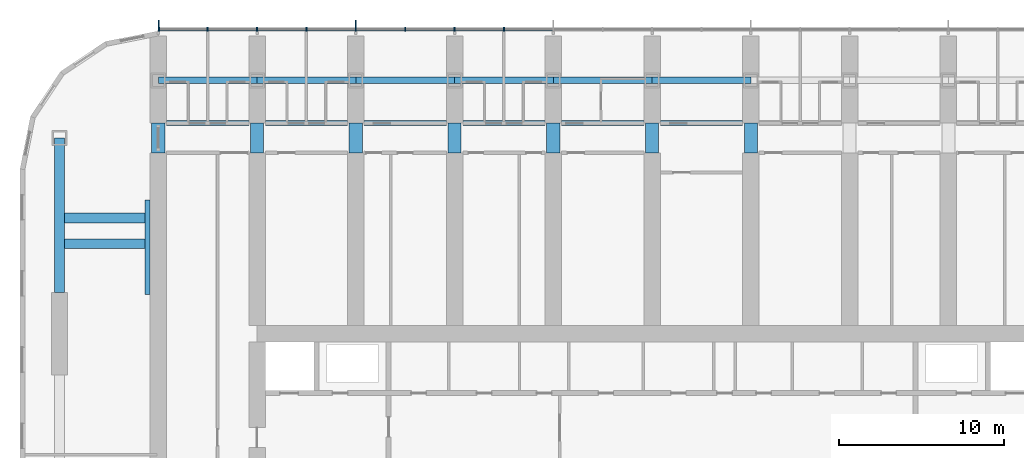
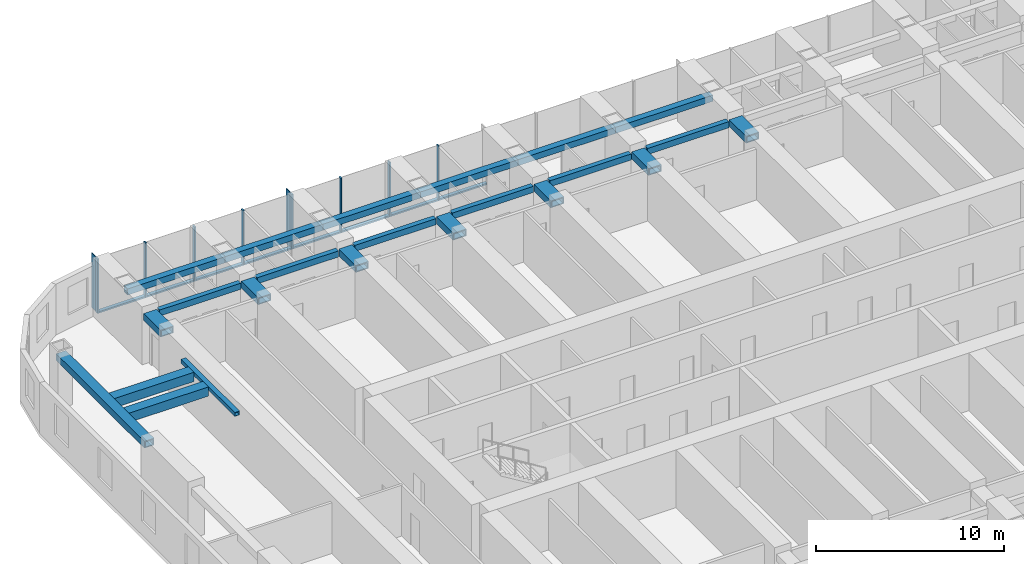
# One storey, part 4 of 24: 23 beams, 18 members, 1 element without a shape of its own.
"""IFC4 building model written with IfcOpenShell, lengths in metres."""

from ifc_helpers import new_model, si_unit, direction, frame, origin, origin_2d, place, context, subcontext, project, spatial, rectangle, hollow_rectangle, extrude, material, material_profile, profile_set, type_object, element, aggregate, save


model = new_model("IFC4")

# Units and contexts
model_context = context("Model", 3, precision=1e-05, world=origin(), true_north=direction((0.0, 1.0)))
body_context = subcontext(model_context, "Body", "Model", "MODEL_VIEW")
ifc_project = project(units=[si_unit("LENGTHUNIT", "METRE"), si_unit("AREAUNIT", "SQUARE_METRE"), si_unit("VOLUMEUNIT", "CUBIC_METRE"), si_unit("PLANEANGLEUNIT", "RADIAN"), si_unit("MASSUNIT", "GRAM", prefix="KILO")], contexts=[model_context])

# Site, building, storey
site_placement = place(None, origin())
site = spatial("IfcSite", under=ifc_project, at=site_placement, CompositionType="ELEMENT")
building_placement = place(site_placement, origin())
building = spatial("IfcBuilding", under=site, at=building_placement, Name="Orbita Commons", CompositionType="ELEMENT")
storey_placement = place(building_placement, frame((0.0, 0.0, 20.199951171875)))
storey = spatial("IfcBuildingStorey", under=building, at=storey_placement, Name="L04", CompositionType="ELEMENT", Elevation=20.199951171875)

# Curtain wall, members
ifc_material_1 = material(Name="Anodised aluminium frame, pale silver", Category="aluminium")
curtain_wall_type = type_object("IfcCurtainWallType", Name="Unitised curtain wall CW-T, vision and spandrel", PredefinedType="NOTDEFINED", material=ifc_material_1)
curtain_wall_placement = place(storey_placement, origin())
curtain_wall = element("IfcCurtainWall", 1, at=curtain_wall_placement, inside=storey, type_object=curtain_wall_type, Name="Curtain wall north L04", PredefinedType="NOTDEFINED")
ifc_material_2 = material(Name="Anodised aluminium, pale silver", Category="aluminium")
ifc_material_profile_1 = material_profile(ifc_material_2, rectangle(XDim=0.080078125, YDim=0.219970703125, at=origin_2d()), Name="AL 80x220")
ifc_profile_set_1 = profile_set([ifc_material_profile_1], Name="Anodised aluminium, pale silver")
member_type_1 = type_object("IfcMemberType", Name="Curtain wall mullion 80x220", PredefinedType="MULLION", material=ifc_profile_set_1)
member_1_placement = place(storey_placement, frame((33.0, 56.7099609375, -0.25), z_axis=(0.0, 0.0, 1.0), x_axis=(-1.0, 0.0, 0.0)))
member_1 = element("IfcMember", 2, at=member_1_placement, type_object=member_type_1, Name="Mullion 14 CW-L04-N", PredefinedType="MULLION", context=body_context, shape_type="SweptSolid", body=[
    extrude(rectangle(XDim=0.080078125, YDim=0.219970703125, at=origin_2d()), origin(), (0.0, 0.0, 1.0), 3.550048828125),
])
member_2_placement = place(storey_placement, frame((30.0, 56.7099609375, -0.25), z_axis=(0.0, 0.0, 1.0), x_axis=(-1.0, 0.0, 0.0)))
member_2 = element("IfcMember", 3, at=member_2_placement, type_object=member_type_1, Name="Mullion 15 CW-L04-N", PredefinedType="MULLION", context=body_context, shape_type="SweptSolid", body=[
    extrude(rectangle(XDim=0.080078125, YDim=0.219970703125, at=origin_2d()), origin(), (0.0, 0.0, 1.0), 3.550048828125),
])
member_3_placement = place(storey_placement, frame((27.0, 56.7099609375, -0.25), z_axis=(0.0, 0.0, 1.0), x_axis=(-1.0, 0.0, 0.0)))
member_3 = element("IfcMember", 4, at=member_3_placement, type_object=member_type_1, Name="Mullion 16 CW-L04-N", PredefinedType="MULLION", context=body_context, shape_type="SweptSolid", body=[
    extrude(rectangle(XDim=0.080078125, YDim=0.219970703125, at=origin_2d()), origin(), (0.0, 0.0, 1.0), 3.550048828125),
])
member_4_placement = place(storey_placement, frame((24.0, 56.7099609375, -0.25), z_axis=(0.0, 0.0, 1.0), x_axis=(-1.0, 0.0, 0.0)))
member_4 = element("IfcMember", 5, at=member_4_placement, type_object=member_type_1, Name="Mullion 17 CW-L04-N", PredefinedType="MULLION", context=body_context, shape_type="SweptSolid", body=[
    extrude(rectangle(XDim=0.080078125, YDim=0.219970703125, at=origin_2d()), origin(), (0.0, 0.0, 1.0), 3.550048828125),
])
member_5_placement = place(storey_placement, frame((21.0, 56.7099609375, -0.25), z_axis=(0.0, 0.0, 1.0), x_axis=(-1.0, 0.0, 0.0)))
member_5 = element("IfcMember", 6, at=member_5_placement, type_object=member_type_1, Name="Mullion 18 CW-L04-N", PredefinedType="MULLION", context=body_context, shape_type="SweptSolid", body=[
    extrude(rectangle(XDim=0.080078125, YDim=0.219970703125, at=origin_2d()), origin(), (0.0, 0.0, 1.0), 3.550048828125),
])
member_6_placement = place(storey_placement, frame((18.0, 56.7099609375, -0.25), z_axis=(0.0, 0.0, 1.0), x_axis=(-1.0, 0.0, 0.0)))
member_6 = element("IfcMember", 7, at=member_6_placement, type_object=member_type_1, Name="Mullion 19 CW-L04-N", PredefinedType="MULLION", context=body_context, shape_type="SweptSolid", body=[
    extrude(rectangle(XDim=0.080078125, YDim=0.219970703125, at=origin_2d()), origin(), (0.0, 0.0, 1.0), 3.550048828125),
])
member_7_placement = place(storey_placement, frame((15.0, 56.7099609375, -0.25), z_axis=(0.0, 0.0, 1.0), x_axis=(-1.0, 0.0, 0.0)))
member_7 = element("IfcMember", 8, at=member_7_placement, type_object=member_type_1, Name="Mullion 20 CW-L04-N", PredefinedType="MULLION", context=body_context, shape_type="SweptSolid", body=[
    extrude(rectangle(XDim=0.080078125, YDim=0.219970703125, at=origin_2d()), origin(), (0.0, 0.0, 1.0), 3.550048828125),
])
member_8_placement = place(storey_placement, frame((12.0400390625, 56.7099609375, -0.25), z_axis=(0.0, 0.0, 1.0), x_axis=(-1.0, 0.0, 0.0)))
member_8 = element("IfcMember", 9, at=member_8_placement, type_object=member_type_1, Name="Mullion 21 CW-L04-N", PredefinedType="MULLION", context=body_context, shape_type="SweptSolid", body=[
    extrude(rectangle(XDim=0.080078125, YDim=0.219970703125, at=origin_2d()), origin(), (0.0, 0.0, 1.0), 3.550048828125),
])
ifc_material_3 = material(Name="Anodised aluminium, pale silver", Category="aluminium")
ifc_material_profile_2 = material_profile(ifc_material_3, rectangle(XDim=0.219970703125, YDim=0.10009765625, at=origin_2d()), Name="AL 220x100")
ifc_profile_set_2 = profile_set([ifc_material_profile_2], Name="Anodised aluminium, pale silver")
member_type_2 = type_object("IfcMemberType", Name="Curtain wall stack transom 220x100", PredefinedType="USERDEFINED", material=ifc_profile_set_2)
member_9_placement = place(storey_placement, frame((35.9599609375, 56.7099609375, -0.199951171875), z_axis=(-1.0, 0.0, 0.0), x_axis=(0.0, -1.0, 0.0)))
member_9 = element("IfcMember", 10, at=member_9_placement, type_object=member_type_2, Name="Transom 13.1 CW-L04-N", ObjectType="TRANSOM", PredefinedType="USERDEFINED", context=body_context, shape_type="SweptSolid", body=[
    extrude(rectangle(XDim=0.219970703125, YDim=0.10009765625, at=origin_2d()), origin(), (0.0, 0.0, 1.0), 2.919921875),
])
member_10_placement = place(storey_placement, frame((32.9599609375, 56.7099609375, -0.199951171875), z_axis=(-1.0, 0.0, 0.0), x_axis=(0.0, -1.0, 0.0)))
member_10 = element("IfcMember", 11, at=member_10_placement, type_object=member_type_2, Name="Transom 14.1 CW-L04-N", ObjectType="TRANSOM", PredefinedType="USERDEFINED", context=body_context, shape_type="SweptSolid", body=[
    extrude(rectangle(XDim=0.219970703125, YDim=0.10009765625, at=origin_2d()), origin(), (0.0, 0.0, 1.0), 2.919921875),
])
member_11_placement = place(storey_placement, frame((29.9599609375, 56.7099609375, -0.199951171875), z_axis=(-1.0, 0.0, 0.0), x_axis=(0.0, -1.0, 0.0)))
member_11 = element("IfcMember", 12, at=member_11_placement, type_object=member_type_2, Name="Transom 15.1 CW-L04-N", ObjectType="TRANSOM", PredefinedType="USERDEFINED", context=body_context, shape_type="SweptSolid", body=[
    extrude(rectangle(XDim=0.219970703125, YDim=0.10009765625, at=origin_2d()), origin(), (0.0, 0.0, 1.0), 2.919921875),
])
member_12_placement = place(storey_placement, frame((26.9599609375, 56.7099609375, -0.199951171875), z_axis=(-1.0, 0.0, 0.0), x_axis=(0.0, -1.0, 0.0)))
member_12 = element("IfcMember", 13, at=member_12_placement, type_object=member_type_2, Name="Transom 16.1 CW-L04-N", ObjectType="TRANSOM", PredefinedType="USERDEFINED", context=body_context, shape_type="SweptSolid", body=[
    extrude(rectangle(XDim=0.219970703125, YDim=0.10009765625, at=origin_2d()), origin(), (0.0, 0.0, 1.0), 2.919921875),
])
member_13_placement = place(storey_placement, frame((23.9599609375, 56.7099609375, -0.199951171875), z_axis=(-1.0, 0.0, 0.0), x_axis=(0.0, -1.0, 0.0)))
member_13 = element("IfcMember", 14, at=member_13_placement, type_object=member_type_2, Name="Transom 17.1 CW-L04-N", ObjectType="TRANSOM", PredefinedType="USERDEFINED", context=body_context, shape_type="SweptSolid", body=[
    extrude(rectangle(XDim=0.219970703125, YDim=0.10009765625, at=origin_2d()), origin(), (0.0, 0.0, 1.0), 2.919921875),
])
member_14_placement = place(storey_placement, frame((20.9599609375, 56.7099609375, -0.199951171875), z_axis=(-1.0, 0.0, 0.0), x_axis=(0.0, -1.0, 0.0)))
member_14 = element("IfcMember", 15, at=member_14_placement, type_object=member_type_2, Name="Transom 18.1 CW-L04-N", ObjectType="TRANSOM", PredefinedType="USERDEFINED", context=body_context, shape_type="SweptSolid", body=[
    extrude(rectangle(XDim=0.219970703125, YDim=0.10009765625, at=origin_2d()), origin(), (0.0, 0.0, 1.0), 2.919921875),
])
member_15_placement = place(storey_placement, frame((17.9599609375, 56.7099609375, -0.199951171875), z_axis=(-1.0, 0.0, 0.0), x_axis=(0.0, -1.0, 0.0)))
member_15 = element("IfcMember", 16, at=member_15_placement, type_object=member_type_2, Name="Transom 19.1 CW-L04-N", ObjectType="TRANSOM", PredefinedType="USERDEFINED", context=body_context, shape_type="SweptSolid", body=[
    extrude(rectangle(XDim=0.219970703125, YDim=0.10009765625, at=origin_2d()), origin(), (0.0, 0.0, 1.0), 2.919921875),
])
member_16_placement = place(storey_placement, frame((14.9599609375, 56.7099609375, -0.199951171875), z_axis=(-1.0, 0.0, 0.0), x_axis=(0.0, -1.0, 0.0)))
member_16 = element("IfcMember", 17, at=member_16_placement, type_object=member_type_2, Name="Transom 20.1 CW-L04-N", ObjectType="TRANSOM", PredefinedType="USERDEFINED", context=body_context, shape_type="SweptSolid", body=[
    extrude(rectangle(XDim=0.219970703125, YDim=0.10009765625, at=origin_2d()), origin(), (0.0, 0.0, 1.0), 2.8798828125),
])

# Beams
ifc_material_4 = material(Name="Steel ASTM A572 Gr 50 welded plate", Category="steel")
ifc_material_profile_3 = material_profile(ifc_material_4, hollow_rectangle(XDim=0.60009765625, YDim=0.60009765625, WallThickness=0.06005859375, at=origin_2d()), Name="BOX 600x600x60")
ifc_profile_set_3 = profile_set([ifc_material_profile_3], Name="Steel ASTM A572 Gr 50 welded plate")
beam_type_1 = type_object("IfcBeamType", Name="Stair trimmer beam BOX 600x600x60", PredefinedType="BEAM", material=ifc_profile_set_3)
for number, where, z_axis, x_axis, name in (
    (18, (6.300048828125, 43.675048828125, 3.0), (1.0, 0.0, 0.0), (0.0, 1.0, 0.0), "Neighbourhood stair L05 to L06 transfer beam 1"),
    (19, (6.300048828125, 45.235107421875, 3.0), (1.0, 0.0, 0.0), (0.0, 1.0, 0.0), "Neighbourhood stair L05 to L06 transfer beam 2"),
):
    element("IfcBeam", number, at=place(storey_placement, frame(where, z_axis=z_axis, x_axis=x_axis)), inside=storey, type_object=beam_type_1, Name=name, PredefinedType="BEAM", context=body_context, shape_type="SweptSolid", body=[
        extrude(hollow_rectangle(XDim=0.60009765625, YDim=0.60009765625, WallThickness=0.06005859375, at=origin_2d()), origin(), (0.0, 0.0, 1.0), 4.89990234375),
    ])
ifc_material_5 = material(Name="Steel ASTM A572 Gr 50 welded plate", Category="steel")
ifc_material_profile_4 = material_profile(ifc_material_5, hollow_rectangle(XDim=0.300048828125, YDim=0.39990234375, WallThickness=0.0400390625, at=origin_2d()), Name="BOX 400x300x40")
ifc_profile_set_4 = profile_set([ifc_material_profile_4], Name="Steel ASTM A572 Gr 50 welded plate")
beam_type_2 = type_object("IfcBeamType", Name="Steel corridor link BOX 400x300x40", PredefinedType="BEAM", material=ifc_profile_set_4)
for number, where, z_axis, x_axis, name in (
    (20, (12.5, 51.0, 3.10009765625), (1.0, 0.0, 0.0), (0.0, 1.0, 0.0), "Corridor beam NB 3-4 L04"),
    (21, (18.5, 51.0, 3.10009765625), (1.0, 0.0, 0.0), (0.0, 1.0, 0.0), "Corridor beam NB 4-5 L04"),
    (22, (24.5, 51.0, 3.10009765625), (1.0, 0.0, 0.0), (0.0, 1.0, 0.0), "Corridor beam NB 5-6 L04"),
    (23, (30.5, 51.0, 3.10009765625), (1.0, 0.0, 0.0), (0.0, 1.0, 0.0), "Corridor beam NB 6-7 L04"),
    (24, (36.5, 51.0, 3.10009765625), (1.0, 0.0, 0.0), (0.0, 1.0, 0.0), "Corridor beam NB 7-8 L04"),
    (25, (42.5, 51.0, 3.10009765625), (1.0, 0.0, 0.0), (0.0, 1.0, 0.0), "Corridor beam NB 8-9 L04"),
):
    element("IfcBeam", number, at=place(storey_placement, frame(where, z_axis=z_axis, x_axis=x_axis)), inside=storey, type_object=beam_type_2, Name=name, PredefinedType="BEAM", context=body_context, shape_type="SweptSolid", body=[
        extrude(hollow_rectangle(XDim=0.300048828125, YDim=0.39990234375, WallThickness=0.0400390625, at=origin_2d()), origin(), (0.0, 0.0, 1.0), 5.0),
    ])
ifc_material_6 = material(Name="Steel ASTM A572 Gr 50 welded plate", Category="steel")
ifc_material_profile_5 = material_profile(ifc_material_6, hollow_rectangle(XDim=0.800048828125, YDim=0.449951171875, WallThickness=0.06005859375, at=origin_2d()), Name="BOX 450x800x60")
ifc_profile_set_5 = profile_set([ifc_material_profile_5], Name="Steel ASTM A572 Gr 50 welded plate")
beam_type_3 = type_object("IfcBeamType", Name="Steel coupling link BOX 450x800x60", PredefinedType="LINTEL", material=ifc_profile_set_5)
for number, where, z_axis, x_axis, name in (
    (26, (12.0, 49.199951171875, 3.074951171875), (0.0, 1.0, 0.0), (-1.0, 0.0, 0.0), "Coupling beam 3 north L04"),
    (27, (18.0, 49.199951171875, 3.074951171875), (0.0, 1.0, 0.0), (-1.0, 0.0, 0.0), "Coupling beam 4 north L04"),
    (28, (24.0, 49.199951171875, 3.074951171875), (0.0, 1.0, 0.0), (-1.0, 0.0, 0.0), "Coupling beam 5 north L04"),
    (29, (30.0, 49.199951171875, 3.074951171875), (0.0, 1.0, 0.0), (-1.0, 0.0, 0.0), "Coupling beam 6 north L04"),
    (30, (36.0, 49.199951171875, 3.074951171875), (0.0, 1.0, 0.0), (-1.0, 0.0, 0.0), "Coupling beam 7 north L04"),
    (31, (42.0, 49.199951171875, 3.074951171875), (0.0, 1.0, 0.0), (-1.0, 0.0, 0.0), "Coupling beam 8 north L04"),
    (32, (48.0, 49.199951171875, 3.074951171875), (0.0, 1.0, 0.0), (-1.0, 0.0, 0.0), "Coupling beam 9 north L04"),
):
    element("IfcBeam", number, at=place(storey_placement, frame(where, z_axis=z_axis, x_axis=x_axis)), inside=storey, type_object=beam_type_3, Name=name, PredefinedType="LINTEL", context=body_context, shape_type="SweptSolid", body=[
        extrude(hollow_rectangle(XDim=0.800048828125, YDim=0.449951171875, WallThickness=0.06005859375, at=origin_2d()), origin(), (0.0, 0.0, 1.0), 1.800048828125),
    ])
ifc_material_7 = material(Name="Steel ASTM A572 Gr 50 welded plate", Category="steel")
ifc_material_profile_6 = material_profile(ifc_material_7, hollow_rectangle(XDim=0.60009765625, YDim=0.449951171875, WallThickness=0.06005859375, at=origin_2d()), Name="BOX 450x600x60")
ifc_profile_set_6 = profile_set([ifc_material_profile_6], Name="Steel ASTM A572 Gr 50 welded plate")
beam_type_4 = type_object("IfcBeamType", Name="Steel end frame link BOX 450x600x60", PredefinedType="BEAM", material=ifc_profile_set_6)
beam_1_placement = place(storey_placement, frame((6.0, 40.699951171875, 3.074951171875), z_axis=(0.0, 1.0, 0.0), x_axis=(-1.0, 0.0, 0.0)))
element("IfcBeam", 33, at=beam_1_placement, inside=storey, type_object=beam_type_4, Name="End frame beam 2 D-E L04", PredefinedType="BEAM", context=body_context, shape_type="SweptSolid", body=[
    extrude(hollow_rectangle(XDim=0.60009765625, YDim=0.449951171875, WallThickness=0.06005859375, at=origin_2d()), origin(), (0.0, 0.0, 1.0), 9.400146484375),
])
ifc_material_8 = material(Name="Steel ASTM A572 Gr 50 welded plate", Category="steel")
ifc_material_profile_7 = material_profile(ifc_material_8, hollow_rectangle(XDim=0.39990234375, YDim=0.39990234375, WallThickness=0.0400390625, at=origin_2d()), Name="BOX 400x400x40")
ifc_profile_set_7 = profile_set([ifc_material_profile_7], Name="Steel ASTM A572 Gr 50 welded plate")
beam_type_5 = type_object("IfcBeamType", Name="Steel spandrel BOX 400x400x40", PredefinedType="SPANDREL", material=ifc_profile_set_7)
for number, where, z_axis, x_axis, name in (
    (34, (12.0, 53.60009765625, 3.10009765625), (1.0, 0.0, 0.0), (0.0, 1.0, 0.0), "Spandrel beam E 3-4 L04"),
    (35, (18.0, 53.60009765625, 3.10009765625), (1.0, 0.0, 0.0), (0.0, 1.0, 0.0), "Spandrel beam E 4-5 L04"),
    (36, (24.0, 53.60009765625, 3.10009765625), (1.0, 0.0, 0.0), (0.0, 1.0, 0.0), "Spandrel beam E 5-6 L04"),
    (37, (30.0, 53.60009765625, 3.10009765625), (1.0, 0.0, 0.0), (0.0, 1.0, 0.0), "Spandrel beam E 6-7 L04"),
    (38, (36.0, 53.60009765625, 3.10009765625), (1.0, 0.0, 0.0), (0.0, 1.0, 0.0), "Spandrel beam E 7-8 L04"),
    (39, (42.0, 53.60009765625, 3.10009765625), (1.0, 0.0, 0.0), (0.0, 1.0, 0.0), "Spandrel beam E 8-9 L04"),
):
    element("IfcBeam", number, at=place(storey_placement, frame(where, z_axis=z_axis, x_axis=x_axis)), inside=storey, type_object=beam_type_5, Name=name, PredefinedType="SPANDREL", context=body_context, shape_type="SweptSolid", body=[
        extrude(hollow_rectangle(XDim=0.39990234375, YDim=0.39990234375, WallThickness=0.0400390625, at=origin_2d()), origin(), (0.0, 0.0, 1.0), 6.0),
    ])
ifc_material_9 = material(Name="Steel ASTM A572 Gr 50 welded plate", Category="steel")
ifc_material_profile_8 = material_profile(ifc_material_9, hollow_rectangle(XDim=0.300048828125, YDim=0.25, WallThickness=0.02490234375, at=origin_2d()), Name="BOX 250x300x25")
ifc_profile_set_8 = profile_set([ifc_material_profile_8], Name="Steel ASTM A572 Gr 50 welded plate")
beam_type_6 = type_object("IfcBeamType", Name="Trimmer ledger beam BOX 250x300x25", PredefinedType="BEAM", material=ifc_profile_set_8)
beam_2_placement = place(storey_placement, frame((11.35009765625, 40.60009765625, 3.175048828125), z_axis=(0.0, 1.0, 0.0), x_axis=(-1.0, 0.0, 0.0)))
element("IfcBeam", 40, at=beam_2_placement, inside=storey, type_object=beam_type_6, Name="Neighbourhood stair L05 to L06 trimmer ledger 1E", PredefinedType="BEAM", context=body_context, shape_type="SweptSolid", body=[
    extrude(hollow_rectangle(XDim=0.300048828125, YDim=0.25, WallThickness=0.02490234375, at=origin_2d()), origin(), (0.0, 0.0, 1.0), 5.733154296875),
])

# Member
ifc_material_10 = material(Name="Anodised aluminium, pale silver", Category="aluminium")
ifc_material_profile_9 = material_profile(ifc_material_10, rectangle(XDim=0.06005859375, YDim=0.449951171875, at=origin_2d()), Name="FIN 60x450")
ifc_profile_set_9 = profile_set([ifc_material_profile_9], Name="Anodised aluminium, pale silver")
member_type_3 = type_object("IfcMemberType", Name="Vertical fin 60x450 pale aluminium", PredefinedType="USERDEFINED", material=ifc_profile_set_9)
member_17_placement = place(storey_placement, frame((24.0, 57.044921875, -0.25), z_axis=(0.0, 0.0, 1.0), x_axis=(-1.0, 0.0, 0.0)))
member_17 = element("IfcMember", 41, at=member_17_placement, type_object=member_type_3, Name="Fin 17 CW-L04-N", ObjectType="FIN", PredefinedType="USERDEFINED", context=body_context, shape_type="SweptSolid", body=[
    extrude(rectangle(XDim=0.06005859375, YDim=0.449951171875, at=origin_2d()), origin(), (0.0, 0.0, 1.0), 3.550048828125),
])

member_18_placement = place(storey_placement, frame((12.0400390625, 57.044921875, -0.25), z_axis=(0.0, 0.0, 1.0), x_axis=(-1.0, 0.0, 0.0)))
member_18 = element("IfcMember", 42, at=member_18_placement, type_object=member_type_3, Name="Fin 21 CW-L04-N", ObjectType="FIN", PredefinedType="USERDEFINED", context=body_context, shape_type="SweptSolid", body=[
    extrude(rectangle(XDim=0.06005859375, YDim=0.449951171875, at=origin_2d()), origin(), (0.0, 0.0, 1.0), 3.550048828125),
])

aggregate(curtain_wall, [member_1, member_2, member_3, member_4, member_17, member_5, member_6, member_7, member_8, member_18, member_9, member_10, member_11, member_12, member_13, member_14, member_15, member_16])

save(model, "model.ifc")
